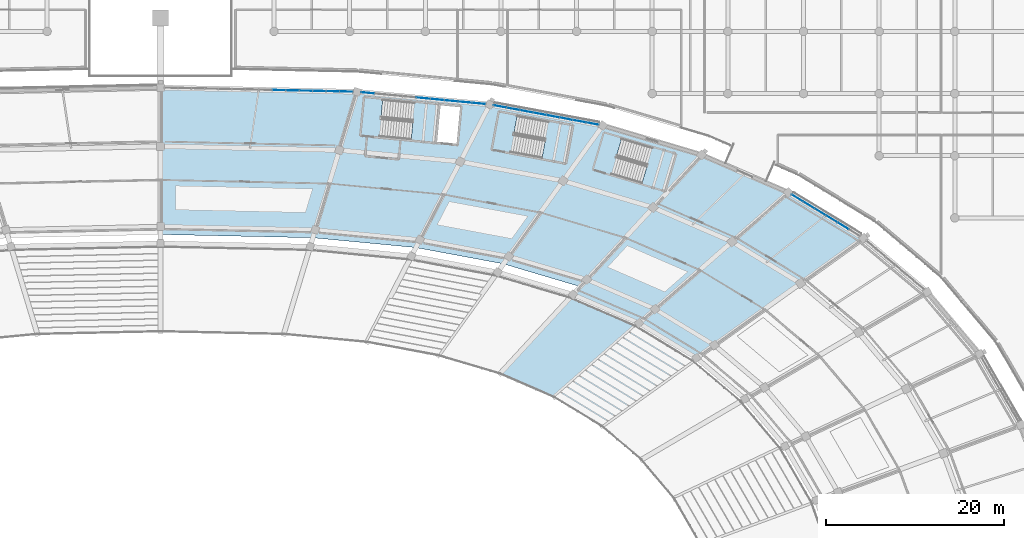
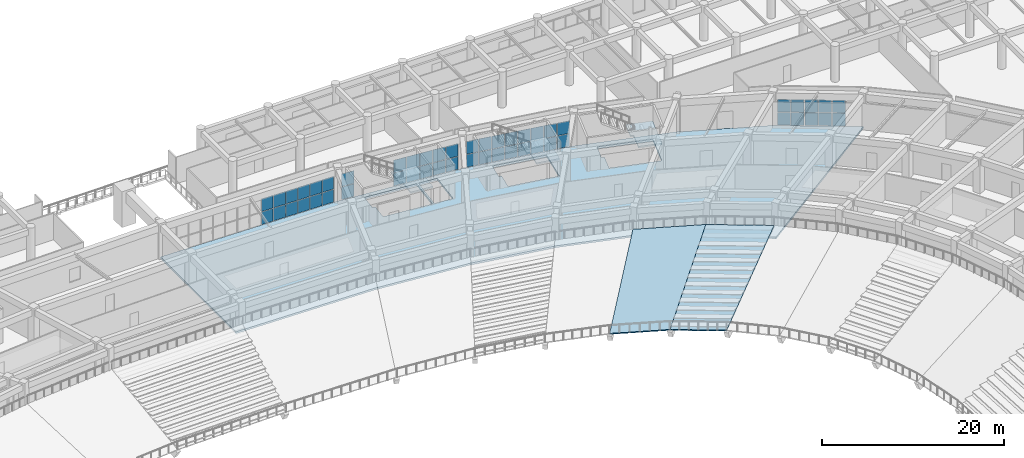
# One storey, part 92 of 152: 50 plates, 6 slabs, 7 elements without a shape of their own.
"""IFC4 building model written with IfcOpenShell, lengths in metres."""

from ifc_helpers import new_model, si_unit, direction, frame, origin, origin_2d, place, context, subcontext, project, spatial, polyline, rectangle, outline, extrude, material, layer, layer_set, type_object, element, aggregate, save


model = new_model("IFC4")

# Units and contexts
model_context = context("Model", 3, precision=1e-05, world=origin(), true_north=direction((0.0, 1.0)))
body_context = subcontext(model_context, "Body", "Model", "MODEL_VIEW")
ifc_project = project(units=[si_unit("LENGTHUNIT", "METRE"), si_unit("AREAUNIT", "SQUARE_METRE"), si_unit("VOLUMEUNIT", "CUBIC_METRE"), si_unit("PLANEANGLEUNIT", "RADIAN"), si_unit("MASSUNIT", "GRAM", prefix="KILO")], contexts=[model_context])

# Site, building, storey
site_placement = place(None, origin())
site = spatial("IfcSite", under=ifc_project, at=site_placement, CompositionType="ELEMENT")
building_placement = place(site_placement, origin())
building = spatial("IfcBuilding", under=site, at=building_placement, Name="Mphavela Belvedere Stadium", CompositionType="ELEMENT")
storey_placement = place(building_placement, frame((0.0, 0.0, 5.39990234375)))
storey = spatial("IfcBuildingStorey", under=building, at=storey_placement, Name="L01", CompositionType="ELEMENT", Elevation=5.39990234375)

# Curtain wall, plates
ifc_material_1 = material(Name="Anodised bronze unitised curtain wall framing")
ifc_layer_1 = layer(ifc_material_1, 0.195068359375)
ifc_layer_set_1 = layer_set([ifc_layer_1], Name="Anodised bronze unitised curtain wall framing")
curtain_wall_type_1 = type_object("IfcCurtainWallType", Name="CW-UNIT-04", PredefinedType="USERDEFINED", material=ifc_layer_set_1)
curtain_wall_1_placement = place(storey_placement, origin())
curtain_wall_1 = element("IfcCurtainWall", 1, at=curtain_wall_1_placement, inside=storey, type_object=curtain_wall_type_1, Name="Belvedere colonnade curtain wall L01-07", ObjectType="UNITISED CURTAIN WALL", PredefinedType="USERDEFINED")
ifc_material_2 = material(Name="Solar-control double glazing", Category="glass")
ifc_layer_2 = layer(ifc_material_2, 0.031982421875)
ifc_layer_set_2 = layer_set([ifc_layer_2], Name="Solar-control double glazing")
plate_type = type_object("IfcPlateType", Name="CWP-SOLAR-GLASS", PredefinedType="CURTAIN_PANEL", material=ifc_layer_set_2)
plate_1_placement = place(storey_placement, frame((191.860107421875, 145.111083984375, 0.06005859375), z_axis=(0.0, 0.0, 1.0), x_axis=(-0.8543277514, 0.51973463728, 0.0)))
plate_1 = element("IfcPlate", 2, at=plate_1_placement, type_object=plate_type, Name="CW-04 panel 2.1", PredefinedType="CURTAIN_PANEL", context=body_context, shape_type="SweptSolid", body=[
    extrude(rectangle(XDim=1.4443359375, YDim=0.031982421875, at=origin_2d()), origin(), (0.0, 0.0, 1.0), 1.695068359375),
])
plate_2_placement = place(storey_placement, frame((191.860107421875, 145.111083984375, 1.81494140625), z_axis=(0.0, 0.0, 1.0), x_axis=(-0.8543277514, 0.51973463728, 0.0)))
plate_2 = element("IfcPlate", 3, at=plate_2_placement, type_object=plate_type, Name="CW-04 panel 2.2", PredefinedType="CURTAIN_PANEL", context=body_context, shape_type="SweptSolid", body=[
    extrude(rectangle(XDim=1.4443359375, YDim=0.031982421875, at=origin_2d()), origin(), (0.0, 0.0, 1.0), 1.695068359375),
])
plate_3_placement = place(storey_placement, frame((190.570556640625, 145.8955078125, 0.06005859375), z_axis=(0.0, 0.0, 1.0), x_axis=(-0.8543277514, 0.51973463728, 0.0)))
plate_3 = element("IfcPlate", 4, at=plate_3_placement, type_object=plate_type, Name="CW-04 panel 3.1", PredefinedType="CURTAIN_PANEL", context=body_context, shape_type="SweptSolid", body=[
    extrude(rectangle(XDim=1.4443359375, YDim=0.031982421875, at=origin_2d()), origin(), (0.0, 0.0, 1.0), 1.695068359375),
])
plate_4_placement = place(storey_placement, frame((190.570556640625, 145.8955078125, 1.81494140625), z_axis=(0.0, 0.0, 1.0), x_axis=(-0.8543277514, 0.51973463728, 0.0)))
plate_4 = element("IfcPlate", 5, at=plate_4_placement, type_object=plate_type, Name="CW-04 panel 3.2", PredefinedType="CURTAIN_PANEL", context=body_context, shape_type="SweptSolid", body=[
    extrude(rectangle(XDim=1.4443359375, YDim=0.031982421875, at=origin_2d()), origin(), (0.0, 0.0, 1.0), 1.695068359375),
])
plate_5_placement = place(storey_placement, frame((189.28125, 146.679931640625, 0.06005859375), z_axis=(0.0, 0.0, 1.0), x_axis=(-0.8543277514, 0.51973463728, 0.0)))
plate_5 = element("IfcPlate", 6, at=plate_5_placement, type_object=plate_type, Name="CW-04 panel 4.1", PredefinedType="CURTAIN_PANEL", context=body_context, shape_type="SweptSolid", body=[
    extrude(rectangle(XDim=1.4443359375, YDim=0.031982421875, at=origin_2d()), origin(), (0.0, 0.0, 1.0), 1.695068359375),
])
plate_6_placement = place(storey_placement, frame((189.28125, 146.679931640625, 1.81494140625), z_axis=(0.0, 0.0, 1.0), x_axis=(-0.8543277514, 0.51973463728, 0.0)))
plate_6 = element("IfcPlate", 7, at=plate_6_placement, type_object=plate_type, Name="CW-04 panel 4.2", PredefinedType="CURTAIN_PANEL", context=body_context, shape_type="SweptSolid", body=[
    extrude(rectangle(XDim=1.4443359375, YDim=0.031982421875, at=origin_2d()), origin(), (0.0, 0.0, 1.0), 1.695068359375),
])
plate_7_placement = place(storey_placement, frame((187.99169921875, 147.46435546875, 0.06005859375), z_axis=(0.0, 0.0, 1.0), x_axis=(-0.8543277514, 0.51973463728, 0.0)))
plate_7 = element("IfcPlate", 8, at=plate_7_placement, type_object=plate_type, Name="CW-04 panel 5.1", PredefinedType="CURTAIN_PANEL", context=body_context, shape_type="SweptSolid", body=[
    extrude(rectangle(XDim=1.4443359375, YDim=0.031982421875, at=origin_2d()), origin(), (0.0, 0.0, 1.0), 1.695068359375),
])
plate_8_placement = place(storey_placement, frame((187.99169921875, 147.46435546875, 1.81494140625), z_axis=(0.0, 0.0, 1.0), x_axis=(-0.8543277514, 0.51973463728, 0.0)))
plate_8 = element("IfcPlate", 9, at=plate_8_placement, type_object=plate_type, Name="CW-04 panel 5.2", PredefinedType="CURTAIN_PANEL", context=body_context, shape_type="SweptSolid", body=[
    extrude(rectangle(XDim=1.4443359375, YDim=0.031982421875, at=origin_2d()), origin(), (0.0, 0.0, 1.0), 1.695068359375),
])
plate_9_placement = place(storey_placement, frame((186.71630859375, 148.240234375, 0.06005859375), z_axis=(0.0, 0.0, 1.0), x_axis=(-0.8543277514, 0.51973463728, 0.0)))
plate_9 = element("IfcPlate", 10, at=plate_9_placement, type_object=plate_type, Name="CW-04 panel 6.1", PredefinedType="CURTAIN_PANEL", context=body_context, shape_type="SweptSolid", body=[
    extrude(rectangle(XDim=1.411865234375, YDim=0.031982421875, at=origin_2d()), origin(), (0.0, 0.0, 1.0), 1.695068359375),
])
plate_10_placement = place(storey_placement, frame((186.71630859375, 148.240234375, 1.81494140625), z_axis=(0.0, 0.0, 1.0), x_axis=(-0.8543277514, 0.51973463728, 0.0)))
plate_10 = element("IfcPlate", 11, at=plate_10_placement, type_object=plate_type, Name="CW-04 panel 6.2", PredefinedType="CURTAIN_PANEL", context=body_context, shape_type="SweptSolid", body=[
    extrude(rectangle(XDim=1.411865234375, YDim=0.031982421875, at=origin_2d()), origin(), (0.0, 0.0, 1.0), 1.695068359375),
])
aggregate(curtain_wall_1, [plate_1, plate_2, plate_3, plate_4, plate_5, plate_6, plate_7, plate_8, plate_9, plate_10])

ifc_material_3 = material(Name="Anodised bronze unitised curtain wall framing")
ifc_layer_3 = layer(ifc_material_3, 0.199951171875)
ifc_layer_set_3 = layer_set([ifc_layer_3], Name="Anodised bronze unitised curtain wall framing")
curtain_wall_type_2 = type_object("IfcCurtainWallType", Name="CW-UNIT-05", PredefinedType="USERDEFINED", material=ifc_layer_set_3)
curtain_wall_2_placement = place(storey_placement, origin())
curtain_wall_2 = element("IfcCurtainWall", 12, at=curtain_wall_2_placement, inside=storey, type_object=curtain_wall_type_2, Name="Belvedere colonnade curtain wall L01-10", ObjectType="UNITISED CURTAIN WALL", PredefinedType="USERDEFINED")
plate_11_placement = place(storey_placement, frame((163.6259765625, 156.61572265625, 0.06005859375), z_axis=(0.0, 0.0, 1.0), x_axis=(-0.983095232437, 0.18309495886, 0.0)))
plate_11 = element("IfcPlate", 13, at=plate_11_placement, type_object=plate_type, Name="CW-05 panel 1.1", PredefinedType="CURTAIN_PANEL", context=body_context, shape_type="SweptSolid", body=[
    extrude(rectangle(XDim=1.415283203125, YDim=0.031982421875, at=origin_2d()), origin(), (0.0, 0.0, 1.0), 1.695068359375),
])
plate_12_placement = place(storey_placement, frame((163.6259765625, 156.61572265625, 1.81494140625), z_axis=(0.0, 0.0, 1.0), x_axis=(-0.983095232437, 0.18309495886, 0.0)))
plate_12 = element("IfcPlate", 14, at=plate_12_placement, type_object=plate_type, Name="CW-05 panel 1.2", PredefinedType="CURTAIN_PANEL", context=body_context, shape_type="SweptSolid", body=[
    extrude(rectangle(XDim=1.415283203125, YDim=0.031982421875, at=origin_2d()), origin(), (0.0, 0.0, 1.0), 1.695068359375),
])
plate_13_placement = place(storey_placement, frame((162.15478515625, 156.8896484375, 0.06005859375), z_axis=(0.0, 0.0, 1.0), x_axis=(-0.983095232437, 0.18309495886, 0.0)))
plate_13 = element("IfcPlate", 15, at=plate_13_placement, type_object=plate_type, Name="CW-05 panel 2.1", PredefinedType="CURTAIN_PANEL", context=body_context, shape_type="SweptSolid", body=[
    extrude(rectangle(XDim=1.44775390625, YDim=0.031982421875, at=origin_2d()), origin(), (0.0, 0.0, 1.0), 1.695068359375),
])
plate_14_placement = place(storey_placement, frame((162.15478515625, 156.8896484375, 1.81494140625), z_axis=(0.0, 0.0, 1.0), x_axis=(-0.983095232437, 0.18309495886, 0.0)))
plate_14 = element("IfcPlate", 16, at=plate_14_placement, type_object=plate_type, Name="CW-05 panel 2.2", PredefinedType="CURTAIN_PANEL", context=body_context, shape_type="SweptSolid", body=[
    extrude(rectangle(XDim=1.44775390625, YDim=0.031982421875, at=origin_2d()), origin(), (0.0, 0.0, 1.0), 1.695068359375),
])
plate_15_placement = place(storey_placement, frame((160.667724609375, 157.166748046875, 0.06005859375), z_axis=(0.0, 0.0, 1.0), x_axis=(-0.983095232437, 0.18309495886, 0.0)))
plate_15 = element("IfcPlate", 17, at=plate_15_placement, type_object=plate_type, Name="CW-05 panel 3.1", PredefinedType="CURTAIN_PANEL", context=body_context, shape_type="SweptSolid", body=[
    extrude(rectangle(XDim=1.44775390625, YDim=0.031982421875, at=origin_2d()), origin(), (0.0, 0.0, 1.0), 1.695068359375),
])
plate_16_placement = place(storey_placement, frame((160.667724609375, 157.166748046875, 1.81494140625), z_axis=(0.0, 0.0, 1.0), x_axis=(-0.983095232437, 0.18309495886, 0.0)))
plate_16 = element("IfcPlate", 18, at=plate_16_placement, type_object=plate_type, Name="CW-05 panel 3.2", PredefinedType="CURTAIN_PANEL", context=body_context, shape_type="SweptSolid", body=[
    extrude(rectangle(XDim=1.44775390625, YDim=0.031982421875, at=origin_2d()), origin(), (0.0, 0.0, 1.0), 1.695068359375),
])
plate_17_placement = place(storey_placement, frame((159.1806640625, 157.443603515625, 0.06005859375), z_axis=(0.0, 0.0, 1.0), x_axis=(-0.983095232437, 0.18309495886, 0.0)))
plate_17 = element("IfcPlate", 19, at=plate_17_placement, type_object=plate_type, Name="CW-05 panel 4.1", PredefinedType="CURTAIN_PANEL", context=body_context, shape_type="SweptSolid", body=[
    extrude(rectangle(XDim=1.44775390625, YDim=0.031982421875, at=origin_2d()), origin(), (0.0, 0.0, 1.0), 1.695068359375),
])
plate_18_placement = place(storey_placement, frame((159.1806640625, 157.443603515625, 1.81494140625), z_axis=(0.0, 0.0, 1.0), x_axis=(-0.983095232437, 0.18309495886, 0.0)))
plate_18 = element("IfcPlate", 20, at=plate_18_placement, type_object=plate_type, Name="CW-05 panel 4.2", PredefinedType="CURTAIN_PANEL", context=body_context, shape_type="SweptSolid", body=[
    extrude(rectangle(XDim=1.44775390625, YDim=0.031982421875, at=origin_2d()), origin(), (0.0, 0.0, 1.0), 1.695068359375),
])
plate_19_placement = place(storey_placement, frame((157.693359375, 157.720703125, 0.06005859375), z_axis=(0.0, 0.0, 1.0), x_axis=(-0.983095232437, 0.18309495886, 0.0)))
plate_19 = element("IfcPlate", 21, at=plate_19_placement, type_object=plate_type, Name="CW-05 panel 5.1", PredefinedType="CURTAIN_PANEL", context=body_context, shape_type="SweptSolid", body=[
    extrude(rectangle(XDim=1.44775390625, YDim=0.031982421875, at=origin_2d()), origin(), (0.0, 0.0, 1.0), 1.695068359375),
])
plate_20_placement = place(storey_placement, frame((157.693359375, 157.720703125, 1.81494140625), z_axis=(0.0, 0.0, 1.0), x_axis=(-0.983095232437, 0.18309495886, 0.0)))
plate_20 = element("IfcPlate", 22, at=plate_20_placement, type_object=plate_type, Name="CW-05 panel 5.2", PredefinedType="CURTAIN_PANEL", context=body_context, shape_type="SweptSolid", body=[
    extrude(rectangle(XDim=1.44775390625, YDim=0.031982421875, at=origin_2d()), origin(), (0.0, 0.0, 1.0), 1.695068359375),
])
plate_21_placement = place(storey_placement, frame((156.206298828125, 157.99755859375, 0.06005859375), z_axis=(0.0, 0.0, 1.0), x_axis=(-0.983095232437, 0.18309495886, 0.0)))
plate_21 = element("IfcPlate", 23, at=plate_21_placement, type_object=plate_type, Name="CW-05 panel 6.1", PredefinedType="CURTAIN_PANEL", context=body_context, shape_type="SweptSolid", body=[
    extrude(rectangle(XDim=1.44775390625, YDim=0.031982421875, at=origin_2d()), origin(), (0.0, 0.0, 1.0), 1.695068359375),
])
plate_22_placement = place(storey_placement, frame((156.206298828125, 157.99755859375, 1.81494140625), z_axis=(0.0, 0.0, 1.0), x_axis=(-0.983095232437, 0.18309495886, 0.0)))
plate_22 = element("IfcPlate", 24, at=plate_22_placement, type_object=plate_type, Name="CW-05 panel 6.2", PredefinedType="CURTAIN_PANEL", context=body_context, shape_type="SweptSolid", body=[
    extrude(rectangle(XDim=1.44775390625, YDim=0.031982421875, at=origin_2d()), origin(), (0.0, 0.0, 1.0), 1.695068359375),
])
plate_23_placement = place(storey_placement, frame((154.71923828125, 158.274658203125, 0.06005859375), z_axis=(0.0, 0.0, 1.0), x_axis=(-0.983095232437, 0.18309495886, 0.0)))
plate_23 = element("IfcPlate", 25, at=plate_23_placement, type_object=plate_type, Name="CW-05 panel 7.1", PredefinedType="CURTAIN_PANEL", context=body_context, shape_type="SweptSolid", body=[
    extrude(rectangle(XDim=1.44775390625, YDim=0.031982421875, at=origin_2d()), origin(), (0.0, 0.0, 1.0), 1.695068359375),
])
plate_24_placement = place(storey_placement, frame((154.71923828125, 158.274658203125, 1.81494140625), z_axis=(0.0, 0.0, 1.0), x_axis=(-0.983095232437, 0.18309495886, 0.0)))
plate_24 = element("IfcPlate", 26, at=plate_24_placement, type_object=plate_type, Name="CW-05 panel 7.2", PredefinedType="CURTAIN_PANEL", context=body_context, shape_type="SweptSolid", body=[
    extrude(rectangle(XDim=1.44775390625, YDim=0.031982421875, at=origin_2d()), origin(), (0.0, 0.0, 1.0), 1.695068359375),
])
plate_25_placement = place(storey_placement, frame((153.248046875, 158.548583984375, 0.06005859375), z_axis=(0.0, 0.0, 1.0), x_axis=(-0.983095232437, 0.18309495886, 0.0)))
plate_25 = element("IfcPlate", 27, at=plate_25_placement, type_object=plate_type, Name="CW-05 panel 8.1", PredefinedType="CURTAIN_PANEL", context=body_context, shape_type="SweptSolid", body=[
    extrude(rectangle(XDim=1.415283203125, YDim=0.031982421875, at=origin_2d()), origin(), (0.0, 0.0, 1.0), 1.695068359375),
])
plate_26_placement = place(storey_placement, frame((153.248046875, 158.548583984375, 1.81494140625), z_axis=(0.0, 0.0, 1.0), x_axis=(-0.983095232437, 0.18309495886, 0.0)))
plate_26 = element("IfcPlate", 28, at=plate_26_placement, type_object=plate_type, Name="CW-05 panel 8.2", PredefinedType="CURTAIN_PANEL", context=body_context, shape_type="SweptSolid", body=[
    extrude(rectangle(XDim=1.415283203125, YDim=0.031982421875, at=origin_2d()), origin(), (0.0, 0.0, 1.0), 1.695068359375),
])
aggregate(curtain_wall_2, [plate_11, plate_12, plate_13, plate_14, plate_15, plate_16, plate_17, plate_18, plate_19, plate_20, plate_21, plate_22, plate_23, plate_24, plate_25, plate_26])

ifc_material_4 = material(Name="Anodised bronze unitised curtain wall framing")
ifc_layer_4 = layer(ifc_material_4, 0.205078125)
ifc_layer_set_4 = layer_set([ifc_layer_4], Name="Anodised bronze unitised curtain wall framing")
curtain_wall_type_3 = type_object("IfcCurtainWallType", Name="CW-UNIT-06", PredefinedType="USERDEFINED", material=ifc_layer_set_4)
curtain_wall_3_placement = place(storey_placement, origin())
curtain_wall_3 = element("IfcCurtainWall", 29, at=curtain_wall_3_placement, inside=storey, type_object=curtain_wall_type_3, Name="Belvedere colonnade curtain wall L01-11", ObjectType="UNITISED CURTAIN WALL", PredefinedType="USERDEFINED")
plate_27_placement = place(storey_placement, frame((150.851318359375, 158.884033203125, 0.06005859375), z_axis=(0.0, 0.0, 1.0), x_axis=(-0.99548468981, 0.094922243726, 0.0)))
plate_27 = element("IfcPlate", 30, at=plate_27_placement, type_object=plate_type, Name="CW-06 panel 1.1", PredefinedType="CURTAIN_PANEL", context=body_context, shape_type="SweptSolid", body=[
    extrude(rectangle(XDim=1.47802734375, YDim=0.031982421875, at=origin_2d()), origin(), (0.0, 0.0, 1.0), 1.695068359375),
])
plate_28_placement = place(storey_placement, frame((150.851318359375, 158.884033203125, 1.81494140625), z_axis=(0.0, 0.0, 1.0), x_axis=(-0.99548468981, 0.094922243726, 0.0)))
plate_28 = element("IfcPlate", 31, at=plate_28_placement, type_object=plate_type, Name="CW-06 panel 1.2", PredefinedType="CURTAIN_PANEL", context=body_context, shape_type="SweptSolid", body=[
    extrude(rectangle(XDim=1.47802734375, YDim=0.031982421875, at=origin_2d()), origin(), (0.0, 0.0, 1.0), 1.695068359375),
])
plate_29_placement = place(storey_placement, frame((149.299072265625, 159.031982421875, 0.06005859375), z_axis=(0.0, 0.0, 1.0), x_axis=(-0.99548468981, 0.094922243726, 0.0)))
plate_29 = element("IfcPlate", 32, at=plate_29_placement, type_object=plate_type, Name="CW-06 panel 2.1", PredefinedType="CURTAIN_PANEL", context=body_context, shape_type="SweptSolid", body=[
    extrude(rectangle(XDim=1.510498046875, YDim=0.031982421875, at=origin_2d()), origin(), (0.0, 0.0, 1.0), 1.695068359375),
])
plate_30_placement = place(storey_placement, frame((149.299072265625, 159.031982421875, 1.81494140625), z_axis=(0.0, 0.0, 1.0), x_axis=(-0.99548468981, 0.094922243726, 0.0)))
plate_30 = element("IfcPlate", 33, at=plate_30_placement, type_object=plate_type, Name="CW-06 panel 2.2", PredefinedType="CURTAIN_PANEL", context=body_context, shape_type="SweptSolid", body=[
    extrude(rectangle(XDim=1.510498046875, YDim=0.031982421875, at=origin_2d()), origin(), (0.0, 0.0, 1.0), 1.695068359375),
])
plate_31_placement = place(storey_placement, frame((147.73046875, 159.181396484375, 0.06005859375), z_axis=(0.0, 0.0, 1.0), x_axis=(-0.99548468981, 0.094922243726, 0.0)))
plate_31 = element("IfcPlate", 34, at=plate_31_placement, type_object=plate_type, Name="CW-06 panel 3.1", PredefinedType="CURTAIN_PANEL", context=body_context, shape_type="SweptSolid", body=[
    extrude(rectangle(XDim=1.510498046875, YDim=0.031982421875, at=origin_2d()), origin(), (0.0, 0.0, 1.0), 1.695068359375),
])
plate_32_placement = place(storey_placement, frame((147.73046875, 159.181396484375, 1.81494140625), z_axis=(0.0, 0.0, 1.0), x_axis=(-0.99548468981, 0.094922243726, 0.0)))
plate_32 = element("IfcPlate", 35, at=plate_32_placement, type_object=plate_type, Name="CW-06 panel 3.2", PredefinedType="CURTAIN_PANEL", context=body_context, shape_type="SweptSolid", body=[
    extrude(rectangle(XDim=1.510498046875, YDim=0.031982421875, at=origin_2d()), origin(), (0.0, 0.0, 1.0), 1.695068359375),
])
plate_33_placement = place(storey_placement, frame((146.162109375, 159.3310546875, 0.06005859375), z_axis=(0.0, 0.0, 1.0), x_axis=(-0.99548468981, 0.094922243726, 0.0)))
plate_33 = element("IfcPlate", 36, at=plate_33_placement, type_object=plate_type, Name="CW-06 panel 4.1", PredefinedType="CURTAIN_PANEL", context=body_context, shape_type="SweptSolid", body=[
    extrude(rectangle(XDim=1.510498046875, YDim=0.031982421875, at=origin_2d()), origin(), (0.0, 0.0, 1.0), 1.695068359375),
])
plate_34_placement = place(storey_placement, frame((146.162109375, 159.3310546875, 1.81494140625), z_axis=(0.0, 0.0, 1.0), x_axis=(-0.99548468981, 0.094922243726, 0.0)))
plate_34 = element("IfcPlate", 37, at=plate_34_placement, type_object=plate_type, Name="CW-06 panel 4.2", PredefinedType="CURTAIN_PANEL", context=body_context, shape_type="SweptSolid", body=[
    extrude(rectangle(XDim=1.510498046875, YDim=0.031982421875, at=origin_2d()), origin(), (0.0, 0.0, 1.0), 1.695068359375),
])
plate_35_placement = place(storey_placement, frame((144.59375, 159.480712890625, 0.06005859375), z_axis=(0.0, 0.0, 1.0), x_axis=(-0.99548468981, 0.094922243726, 0.0)))
plate_35 = element("IfcPlate", 38, at=plate_35_placement, type_object=plate_type, Name="CW-06 panel 5.1", PredefinedType="CURTAIN_PANEL", context=body_context, shape_type="SweptSolid", body=[
    extrude(rectangle(XDim=1.510498046875, YDim=0.031982421875, at=origin_2d()), origin(), (0.0, 0.0, 1.0), 1.695068359375),
])
plate_36_placement = place(storey_placement, frame((144.59375, 159.480712890625, 1.81494140625), z_axis=(0.0, 0.0, 1.0), x_axis=(-0.99548468981, 0.094922243726, 0.0)))
plate_36 = element("IfcPlate", 39, at=plate_36_placement, type_object=plate_type, Name="CW-06 panel 5.2", PredefinedType="CURTAIN_PANEL", context=body_context, shape_type="SweptSolid", body=[
    extrude(rectangle(XDim=1.510498046875, YDim=0.031982421875, at=origin_2d()), origin(), (0.0, 0.0, 1.0), 1.695068359375),
])
plate_37_placement = place(storey_placement, frame((138.336181640625, 160.077392578125, 0.06005859375), z_axis=(0.0, 0.0, 1.0), x_axis=(-0.99548468981, 0.094922243726, 0.0)))
plate_37 = element("IfcPlate", 40, at=plate_37_placement, type_object=plate_type, Name="CW-06 panel 9.1", PredefinedType="CURTAIN_PANEL", context=body_context, shape_type="SweptSolid", body=[
    extrude(rectangle(XDim=1.47802734375, YDim=0.031982421875, at=origin_2d()), origin(), (0.0, 0.0, 1.0), 1.695068359375),
])
plate_38_placement = place(storey_placement, frame((138.336181640625, 160.077392578125, 1.81494140625), z_axis=(0.0, 0.0, 1.0), x_axis=(-0.99548468981, 0.094922243726, 0.0)))
plate_38 = element("IfcPlate", 41, at=plate_38_placement, type_object=plate_type, Name="CW-06 panel 9.2", PredefinedType="CURTAIN_PANEL", context=body_context, shape_type="SweptSolid", body=[
    extrude(rectangle(XDim=1.47802734375, YDim=0.031982421875, at=origin_2d()), origin(), (0.0, 0.0, 1.0), 1.695068359375),
])
aggregate(curtain_wall_3, [plate_27, plate_28, plate_29, plate_30, plate_31, plate_32, plate_33, plate_34, plate_35, plate_36, plate_37, plate_38])

ifc_material_5 = material(Name="Anodised bronze unitised curtain wall framing")
ifc_layer_5 = layer(ifc_material_5, 0.179931640625)
ifc_layer_set_5 = layer_set([ifc_layer_5], Name="Anodised bronze unitised curtain wall framing")
curtain_wall_type_4 = type_object("IfcCurtainWallType", Name="CW-UNIT-01", PredefinedType="USERDEFINED", material=ifc_layer_set_5)
curtain_wall_4_placement = place(storey_placement, origin())
curtain_wall_4 = element("IfcCurtainWall", 42, at=curtain_wall_4_placement, inside=storey, type_object=curtain_wall_type_4, Name="Belvedere colonnade curtain wall L01-12", ObjectType="UNITISED CURTAIN WALL", PredefinedType="USERDEFINED")
plate_39_placement = place(storey_placement, frame((135.915771484375, 160.2197265625, 0.06005859375), z_axis=(0.0, 0.0, 1.0), x_axis=(-0.999768226394, 0.021528899038, 0.0)))
plate_39 = element("IfcPlate", 43, at=plate_39_placement, type_object=plate_type, Name="CW-01 panel 1.1", PredefinedType="CURTAIN_PANEL", context=body_context, shape_type="SweptSolid", body=[
    extrude(rectangle(XDim=1.422119140625, YDim=0.031982421875, at=origin_2d()), origin(), (0.0, 0.0, 1.0), 1.695068359375),
])
plate_40_placement = place(storey_placement, frame((135.915771484375, 160.2197265625, 1.81494140625), z_axis=(0.0, 0.0, 1.0), x_axis=(-0.999768226394, 0.021528899038, 0.0)))
plate_40 = element("IfcPlate", 44, at=plate_40_placement, type_object=plate_type, Name="CW-01 panel 1.2", PredefinedType="CURTAIN_PANEL", context=body_context, shape_type="SweptSolid", body=[
    extrude(rectangle(XDim=1.422119140625, YDim=0.031982421875, at=origin_2d()), origin(), (0.0, 0.0, 1.0), 1.695068359375),
])
plate_41_placement = place(storey_placement, frame((134.412841796875, 160.251953125, 0.06005859375), z_axis=(0.0, 0.0, 1.0), x_axis=(-0.999768226394, 0.021528899038, 0.0)))
plate_41 = element("IfcPlate", 45, at=plate_41_placement, type_object=plate_type, Name="CW-01 panel 2.1", PredefinedType="CURTAIN_PANEL", context=body_context, shape_type="SweptSolid", body=[
    extrude(rectangle(XDim=1.45458984375, YDim=0.031982421875, at=origin_2d()), origin(), (0.0, 0.0, 1.0), 1.695068359375),
])
plate_42_placement = place(storey_placement, frame((134.412841796875, 160.251953125, 1.81494140625), z_axis=(0.0, 0.0, 1.0), x_axis=(-0.999768226394, 0.021528899038, 0.0)))
plate_42 = element("IfcPlate", 46, at=plate_42_placement, type_object=plate_type, Name="CW-01 panel 2.2", PredefinedType="CURTAIN_PANEL", context=body_context, shape_type="SweptSolid", body=[
    extrude(rectangle(XDim=1.45458984375, YDim=0.031982421875, at=origin_2d()), origin(), (0.0, 0.0, 1.0), 1.695068359375),
])
plate_43_placement = place(storey_placement, frame((132.893798828125, 160.28466796875, 0.06005859375), z_axis=(0.0, 0.0, 1.0), x_axis=(-0.999768226394, 0.021528899038, 0.0)))
plate_43 = element("IfcPlate", 47, at=plate_43_placement, type_object=plate_type, Name="CW-01 panel 3.1", PredefinedType="CURTAIN_PANEL", context=body_context, shape_type="SweptSolid", body=[
    extrude(rectangle(XDim=1.45458984375, YDim=0.031982421875, at=origin_2d()), origin(), (0.0, 0.0, 1.0), 1.695068359375),
])
plate_44_placement = place(storey_placement, frame((132.893798828125, 160.28466796875, 1.81494140625), z_axis=(0.0, 0.0, 1.0), x_axis=(-0.999768226394, 0.021528899038, 0.0)))
plate_44 = element("IfcPlate", 48, at=plate_44_placement, type_object=plate_type, Name="CW-01 panel 3.2", PredefinedType="CURTAIN_PANEL", context=body_context, shape_type="SweptSolid", body=[
    extrude(rectangle(XDim=1.45458984375, YDim=0.031982421875, at=origin_2d()), origin(), (0.0, 0.0, 1.0), 1.695068359375),
])
plate_45_placement = place(storey_placement, frame((131.37451171875, 160.3173828125, 0.06005859375), z_axis=(0.0, 0.0, 1.0), x_axis=(-0.999768226394, 0.021528899038, 0.0)))
plate_45 = element("IfcPlate", 49, at=plate_45_placement, type_object=plate_type, Name="CW-01 panel 4.1", PredefinedType="CURTAIN_PANEL", context=body_context, shape_type="SweptSolid", body=[
    extrude(rectangle(XDim=1.45458984375, YDim=0.031982421875, at=origin_2d()), origin(), (0.0, 0.0, 1.0), 1.695068359375),
])
plate_46_placement = place(storey_placement, frame((131.37451171875, 160.3173828125, 1.81494140625), z_axis=(0.0, 0.0, 1.0), x_axis=(-0.999768226394, 0.021528899038, 0.0)))
plate_46 = element("IfcPlate", 50, at=plate_46_placement, type_object=plate_type, Name="CW-01 panel 4.2", PredefinedType="CURTAIN_PANEL", context=body_context, shape_type="SweptSolid", body=[
    extrude(rectangle(XDim=1.45458984375, YDim=0.031982421875, at=origin_2d()), origin(), (0.0, 0.0, 1.0), 1.695068359375),
])
plate_47_placement = place(storey_placement, frame((129.855224609375, 160.35009765625, 0.06005859375), z_axis=(0.0, 0.0, 1.0), x_axis=(-0.999768226394, 0.021528899038, 0.0)))
plate_47 = element("IfcPlate", 51, at=plate_47_placement, type_object=plate_type, Name="CW-01 panel 5.1", PredefinedType="CURTAIN_PANEL", context=body_context, shape_type="SweptSolid", body=[
    extrude(rectangle(XDim=1.45458984375, YDim=0.031982421875, at=origin_2d()), origin(), (0.0, 0.0, 1.0), 1.695068359375),
])
plate_48_placement = place(storey_placement, frame((129.855224609375, 160.35009765625, 1.81494140625), z_axis=(0.0, 0.0, 1.0), x_axis=(-0.999768226394, 0.021528899038, 0.0)))
plate_48 = element("IfcPlate", 52, at=plate_48_placement, type_object=plate_type, Name="CW-01 panel 5.2", PredefinedType="CURTAIN_PANEL", context=body_context, shape_type="SweptSolid", body=[
    extrude(rectangle(XDim=1.45458984375, YDim=0.031982421875, at=origin_2d()), origin(), (0.0, 0.0, 1.0), 1.695068359375),
])
plate_49_placement = place(storey_placement, frame((128.336181640625, 160.3828125, 0.06005859375), z_axis=(0.0, 0.0, 1.0), x_axis=(-0.999768226394, 0.021528899038, 0.0)))
plate_49 = element("IfcPlate", 53, at=plate_49_placement, type_object=plate_type, Name="CW-01 panel 6.1", PredefinedType="CURTAIN_PANEL", context=body_context, shape_type="SweptSolid", body=[
    extrude(rectangle(XDim=1.45458984375, YDim=0.031982421875, at=origin_2d()), origin(), (0.0, 0.0, 1.0), 1.695068359375),
])
plate_50_placement = place(storey_placement, frame((128.336181640625, 160.3828125, 1.81494140625), z_axis=(0.0, 0.0, 1.0), x_axis=(-0.999768226394, 0.021528899038, 0.0)))
plate_50 = element("IfcPlate", 54, at=plate_50_placement, type_object=plate_type, Name="CW-01 panel 6.2", PredefinedType="CURTAIN_PANEL", context=body_context, shape_type="SweptSolid", body=[
    extrude(rectangle(XDim=1.45458984375, YDim=0.031982421875, at=origin_2d()), origin(), (0.0, 0.0, 1.0), 1.695068359375),
])
aggregate(curtain_wall_4, [plate_39, plate_40, plate_41, plate_42, plate_43, plate_44, plate_45, plate_46, plate_47, plate_48, plate_49, plate_50])

# Slab
ifc_material_6 = material(Name="Concrete C40/50", Category="concrete")
ifc_layer_6 = layer(ifc_material_6, 0.25)
ifc_layer_set_6 = layer_set([ifc_layer_6], Name="Concrete C40/50")
slab_type_1 = type_object("IfcSlabType", Name="SLB-CONCOURSE-250", PredefinedType="FLOOR", material=ifc_layer_set_6)
slab_1_placement = place(storey_placement, frame((0.0, 0.0, -0.25)))
element("IfcSlab", 55, at=slab_1_placement, inside=storey, type_object=slab_type_1, Name="Concourse sector slab L01-S2", PredefinedType="FLOOR", context=body_context, shape_type="SweptSolid", body=[
    extrude(outline(polyline([(137.114501953125, 160.19384765625), (152.07275390625, 158.767333984375), (164.80126953125, 156.39697265625), (175.9375, 153.09130859375), (185.6962890625, 148.86083984375), (194.155517578125, 143.714599609375), (175.33740234375, 130.2314453125), (168.88916015625, 134.154296875), (161.450439453125, 137.37890625), (162.25537109375, 138.251953125), (153.619384765625, 140.815185546875), (143.748779296875, 142.653564453125), (132.1494140625, 143.759765625), (115.0, 144.12890625), (115.0, 160.669921875), (137.114501953125, 160.19384765625)]), holes=[polyline([(139.82373046875, 157.23583984375), (140.158203125, 157.2041015625), (139.959228515625, 155.118408203125), (145.892333984375, 154.552490234375), (146.290283203125, 158.723388671875), (140.022705078125, 159.3212890625), (139.82373046875, 157.23583984375)]), polyline([(146.111328125, 154.531494140625), (148.361083984375, 154.31689453125), (148.759033203125, 158.48779296875), (146.509521484375, 158.702392578125), (146.111328125, 154.531494140625)]), polyline([(172.96826171875, 153.139892578125), (166.932373046875, 154.93115234375), (166.336181640625, 152.9228515625), (166.658447265625, 152.8271484375), (166.0625, 150.818603515625), (171.77587890625, 149.123046875), (172.96826171875, 153.139892578125)]), polyline([(160.586181640625, 152.230712890625), (161.353271484375, 156.349853515625), (155.16357421875, 157.502685546875), (154.780029296875, 155.443115234375), (155.1103515625, 155.381591796875), (154.726806640625, 153.322021484375), (160.586181640625, 152.230712890625)])]), origin(), (0.0, 0.0, 1.0), 0.25),
])

# Stair, slab
ifc_material_7 = material(Name="Concrete C40/50", Category="concrete")
stair_type_1 = type_object("IfcStairType", Name="STR-HALF-TURN-3", PredefinedType="HALF_TURN_STAIR", material=ifc_material_7)
stair_1_placement = place(storey_placement, origin())
stair_1 = element("IfcStair", 56, at=stair_1_placement, inside=storey, type_object=stair_type_1, Name="L01 Escape stair core C03", PredefinedType="HALF_TURN_STAIR")
ifc_material_8 = material(Name="Concrete C40/50", Category="concrete")
ifc_layer_7 = layer(ifc_material_8, 0.199951171875)
ifc_layer_set_7 = layer_set([ifc_layer_7], Name="Concrete C40/50")
slab_type_2 = type_object("IfcSlabType", Name="SLB-LANDING-200", PredefinedType="LANDING", material=ifc_layer_set_7)
slab_2_placement = place(storey_placement, frame((0.0, 0.0, 2.2001953125)))
slab_2 = element("IfcSlab", 57, at=slab_2_placement, type_object=slab_type_2, Name="ST-C03 landing 1", PredefinedType="LANDING", context=body_context, shape_type="SweptSolid", body=[
    extrude(outline(polyline([(143.212158203125, 154.6875), (145.881103515625, 154.432861328125), (146.3017578125, 158.843017578125), (143.279541015625, 159.13134765625), (143.069091796875, 156.92626953125), (143.422607421875, 156.892578125), (143.212158203125, 154.6875)])), origin(), (0.0, 0.0, 1.0), 0.199951171875),
])
aggregate(stair_1, [slab_2])

ifc_material_9 = material(Name="Precast concrete C45/55", Category="concrete")
stair_type_2 = type_object("IfcStairType", Name="STR-TWO-RET-1", PredefinedType="TWO_STRAIGHT_RUN_STAIR", material=ifc_material_9)
stair_2_placement = place(storey_placement, origin())
stair_2 = element("IfcStair", 58, at=stair_2_placement, inside=storey, type_object=stair_type_2, Name="L01 Escape stair core P01", PredefinedType="TWO_STRAIGHT_RUN_STAIR")
slab_3_placement = place(storey_placement, frame((0.0, 0.0, 2.2001953125)))
slab_3 = element("IfcSlab", 59, at=slab_3_placement, type_object=slab_type_2, Name="ST-P01 landing 1", PredefinedType="LANDING", context=body_context, shape_type="SweptSolid", body=[
    extrude(outline(polyline([(169.171630859375, 149.770751953125), (171.741943359375, 149.008056640625), (173.002197265625, 153.2548828125), (170.091796875, 154.11865234375), (169.461669921875, 151.9951171875), (169.802001953125, 151.894287109375), (169.171630859375, 149.770751953125)])), origin(), (0.0, 0.0, 1.0), 0.199951171875),
])
aggregate(stair_2, [slab_3])

ifc_material_10 = material(Name="Precast concrete C45/55", Category="concrete")
stair_type_3 = type_object("IfcStairType", Name="STR-TWO-RET-2", PredefinedType="TWO_STRAIGHT_RUN_STAIR", material=ifc_material_10)
stair_3_placement = place(storey_placement, origin())
stair_3 = element("IfcStair", 60, at=stair_3_placement, inside=storey, type_object=stair_type_3, Name="L01 Escape stair core P02", PredefinedType="TWO_STRAIGHT_RUN_STAIR")
slab_4_placement = place(storey_placement, frame((0.0, 0.0, 2.2001953125)))
slab_4 = element("IfcSlab", 61, at=slab_4_placement, type_object=slab_type_2, Name="ST-P02 landing 1", PredefinedType="LANDING", context=body_context, shape_type="SweptSolid", body=[
    extrude(outline(polyline([(157.928466796875, 152.603759765625), (160.564208984375, 152.11279296875), (161.375244140625, 156.468017578125), (158.390380859375, 157.023681640625), (157.985107421875, 154.84619140625), (158.333984375, 154.78125), (157.928466796875, 152.603759765625)])), origin(), (0.0, 0.0, 1.0), 0.199951171875),
])
aggregate(stair_3, [slab_4])

# Slabs
ifc_material_11 = material(Name="Precast concrete C45/55", Category="concrete")
ifc_layer_8 = layer(ifc_material_11, 0.25)
ifc_layer_set_8 = layer_set([ifc_layer_8], Name="Precast concrete C45/55")
slab_type_3 = type_object("IfcSlabType", Name="SLB-TIER-LOWER", PredefinedType="USERDEFINED", material=ifc_layer_set_8)
slab_5_placement = place(storey_placement, frame((164.658935546875, 122.580322265625, -4.099853515625), z_axis=(-0.23911763822, -0.393043368177, 0.887884939519), x_axis=(-0.85431823944, 0.519750272492, 2.070097e-06)))
element("IfcSlab", 62, at=slab_5_placement, inside=storey, type_object=slab_type_3, Name="Lower seating tier slab L01-07", ObjectType="SEATING TIER", PredefinedType="USERDEFINED", context=body_context, shape_type="SweptSolid", body=[
    extrude(outline(polyline([(0.0, 0.0), (6.212125791664506, 0.0), (2.561519924716262, -13.041607568769107), (-4.9302535277103114, -13.041669230417568), (0.0, 0.0)])), origin(), (0.0, 0.0, -1.0), 0.25),
])
slab_6_placement = place(storey_placement, frame((159.351806640625, 125.80908203125, -4.099853515625), z_axis=(-0.190858804595, -0.440280540142, 0.877340277589), x_axis=(-0.91750490385, 0.397724466678, -4.041924e-06)))
element("IfcSlab", 63, at=slab_6_placement, inside=storey, type_object=slab_type_3, Name="Lower seating tier slab L01-08", ObjectType="SEATING TIER", PredefinedType="USERDEFINED", context=body_context, shape_type="SweptSolid", body=[
    extrude(outline(polyline([(0.0, 0.0), (6.672514141049851, -4.440892098500626e-16), (2.843602057945681, -12.503442310151001), (-5.203602790782251, -12.503318326292447), (0.0, 0.0)])), origin(), (0.0, 0.0, -1.0), 0.25),
])

save(model, "model.ifc")
